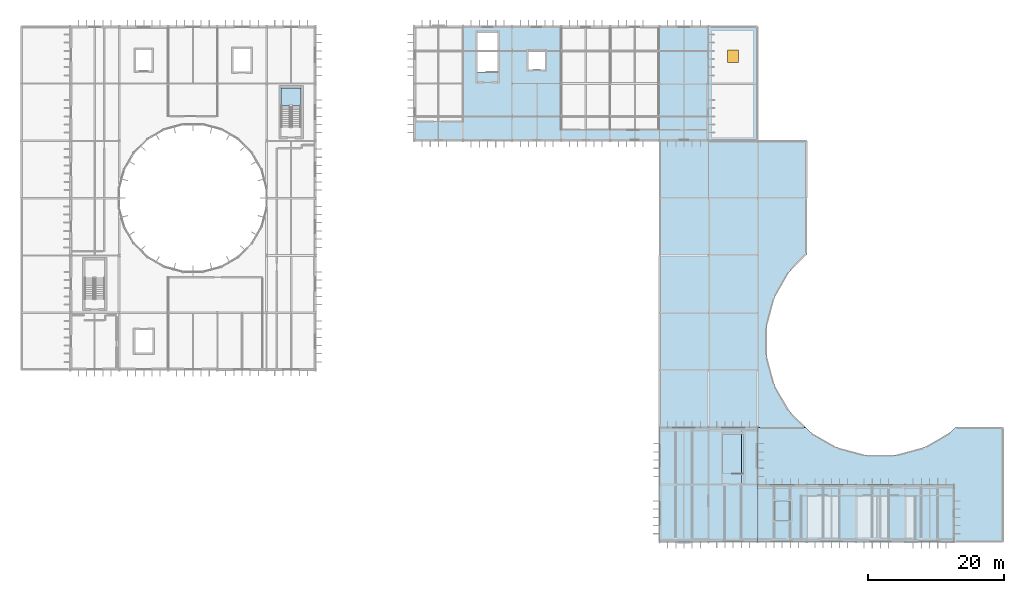
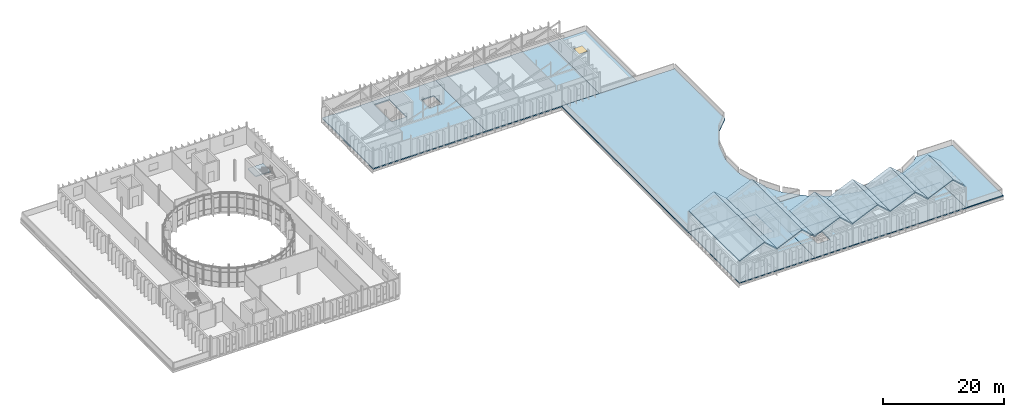
# One storey, part 31 of 52: 20 slabs, 1 window, 1 opening, 1 element without a shape of its own.
"""IFC4 building model written with IfcOpenShell, lengths in metres."""

import ifcopenshell
import ifcopenshell.guid

model = None  # the IFC model being written
_history = None  # IfcOwnerHistory: only IFC2X3 demands one
_inside = {}  # id of a spatial element -> (the spatial element, [elements in it])
_under = {}  # id of a project, library or spatial element -> (it, [spatial elements below it])
_declared = {}  # id of a project -> (the project, [libraries it declares])
_typed = {}  # id of a type object -> (the type object, [elements of that type])
_made_of = {}  # id of a material, layer set ... -> (it, [elements and type objects made of it])


def new_model(schema):
    """Start an empty IFC model of exactly this schema.

    Asked for "IFC4X3", IfcOpenShell would pick the latest addendum, in which some entities
    have other attributes; the version numbers below select the first issue.
    IFC2X3 requires an IfcOwnerHistory on every rooted entity: one is made here for all.
    """
    global model, _history
    if schema == "IFC4X3":
        model = ifcopenshell.file(schema_version=(4, 3, 0, 0))
    else:
        model = ifcopenshell.file(schema=schema)
    _inside.clear()
    _under.clear()
    _declared.clear()
    _typed.clear()
    _made_of.clear()
    _history = None
    if model.schema == "IFC2X3":
        org = make("IfcOrganization", Name="unknown")
        user = make(
            "IfcPersonAndOrganization",
            ThePerson=make("IfcPerson", FamilyName="unknown"),
            TheOrganization=org,
        )
        app = make(
            "IfcApplication",
            ApplicationDeveloper=org,
            Version="unknown",
            ApplicationFullName="unknown",
            ApplicationIdentifier="unknown",
        )
        _history = make(
            "IfcOwnerHistory",
            OwningUser=user,
            OwningApplication=app,
            ChangeAction="ADDED",
            CreationDate=0,
        )
    return model


def make(cls, **values):
    """One entity of the class cls with the attributes given. An attribute that is None is left unset."""
    return model.create_entity(
        cls, **{name: value for name, value in values.items() if value is not None}
    )


def rooted(cls, **values):
    """An entity with a GlobalId (a new one), such as an element, a storey or a relation."""
    return make(cls, GlobalId=ifcopenshell.guid.new(), OwnerHistory=_history, **values)


def si_unit(unit_type, name, prefix=None):
    """IfcSIUnit, for example si_unit("LENGTHUNIT", "METRE", prefix="MILLI")."""
    return make("IfcSIUnit", UnitType=unit_type, Prefix=prefix, Name=name)


def assignment(units):
    """IfcUnitAssignment: the units of a project."""
    return None if units is None else make("IfcUnitAssignment", Units=units)


def point(xyz):
    """IfcCartesianPoint."""
    return None if xyz is None else make("IfcCartesianPoint", Coordinates=xyz)


def direction(xyz):
    """IfcDirection."""
    return None if xyz is None else make("IfcDirection", DirectionRatios=xyz)


def frame(location, z_axis=None, x_axis=None):
    """IfcAxis2Placement3D, a coordinate frame: its origin and axes. An axis left out is left unset."""
    return make(
        "IfcAxis2Placement3D",
        Location=point(location),
        Axis=direction(z_axis),
        RefDirection=direction(x_axis),
    )


def frame_2d(location, x_axis=None):
    """IfcAxis2Placement2D, a coordinate frame in the plane: its origin and x axis."""
    return make(
        "IfcAxis2Placement2D", Location=point(location), RefDirection=direction(x_axis)
    )


def origin():
    """The frame at (0, 0, 0) with its axes left unset."""
    return frame((0.0, 0.0, 0.0))


def origin_2d():
    """The frame at (0, 0) in the plane with its x axis left unset."""
    return frame_2d((0.0, 0.0))


def place(relative_to, where):
    """IfcLocalPlacement: puts the frame where relative to a parent placement (None: the world)."""
    return make(
        "IfcLocalPlacement", PlacementRelTo=relative_to, RelativePlacement=where
    )


def context(
    kind, dimensions, precision=None, world=None, true_north=None, identifier=None
):
    """IfcGeometricRepresentationContext, for example the 3D "Model" context."""
    return make(
        "IfcGeometricRepresentationContext",
        ContextIdentifier=identifier,
        ContextType=kind,
        CoordinateSpaceDimension=dimensions,
        Precision=precision,
        WorldCoordinateSystem=world,
        TrueNorth=true_north,
    )


def subcontext(parent, identifier, kind, view, scale=None):
    """IfcGeometricRepresentationSubContext, for example "Body" below "Model"."""
    return make(
        "IfcGeometricRepresentationSubContext",
        ContextIdentifier=identifier,
        ContextType=kind,
        ParentContext=parent,
        TargetScale=scale,
        TargetView=view,
    )


def project(units=None, contexts=None):
    """IfcProject with its units and contexts."""
    return rooted(
        "IfcProject",
        Name="project",
        RepresentationContexts=contexts,
        UnitsInContext=assignment(units),
    )


def spatial(cls, under=None, at=None, **own):
    """A site, building, storey or space (cls), placed at a placement, below another one or the project."""
    s = rooted(cls, ObjectPlacement=at, **own)
    if under is not None:
        _under.setdefault(under.id(), (under, []))[1].append(s)
    return s


def polyline(points):
    """IfcPolyline through the points."""
    return make("IfcPolyline", Points=[point(p) for p in points])


def profile(cls, at=None, kind="AREA", **sizes):
    """A parametric profile (cls). Its sizes go by their IFC names, for example OverallWidth=200.0."""
    return make(cls, ProfileType=kind, Position=at, **sizes)


def rectangle(**sizes):
    """IfcRectangleProfileDef."""
    return profile("IfcRectangleProfileDef", **sizes)


def outline(outer, holes=None, kind="AREA"):
    """IfcArbitraryClosedProfileDef: a profile drawn as a closed curve; with holes, ...WithVoids."""
    if holes is None:
        return make("IfcArbitraryClosedProfileDef", ProfileType=kind, OuterCurve=outer)
    return make(
        "IfcArbitraryProfileDefWithVoids",
        ProfileType=kind,
        OuterCurve=outer,
        InnerCurves=holes,
    )


def extrude(swept, where, along, depth):
    """IfcExtrudedAreaSolid: the profile swept, set in the frame where, extruded along a direction by depth."""
    return make(
        "IfcExtrudedAreaSolid",
        SweptArea=swept,
        Position=where,
        ExtrudedDirection=direction(along),
        Depth=depth,
    )


def shape(context_of_items, identifier, shape_type, items):
    """IfcShapeRepresentation: the items that make up one representation, for example the "Body"."""
    return make(
        "IfcShapeRepresentation",
        ContextOfItems=context_of_items,
        RepresentationIdentifier=identifier,
        RepresentationType=shape_type,
        Items=items,
    )


def material(Name=None, Category=None):
    """IfcMaterial."""
    return make("IfcMaterial", Name=Name, Category=Category)


def layer(
    of_material, thickness, ventilated=None, Name=None, Category=None, Priority=None
):
    """IfcMaterialLayer: one layer of a wall or slab, of a material (None: an air gap)."""
    return make(
        "IfcMaterialLayer",
        Material=of_material,
        LayerThickness=thickness,
        IsVentilated=ventilated,
        Name=Name,
        Category=Category,
        Priority=Priority,
    )


def layer_set(layers, Name=None):
    """IfcMaterialLayerSet."""
    return make("IfcMaterialLayerSet", MaterialLayers=layers, LayerSetName=Name)


def made_of(thing, what):
    """Note that an element or type object is made of a material, layer set ...; save() writes the relation."""
    if what is not None:
        _made_of.setdefault(what.id(), (what, []))[1].append(thing)
    return thing


def type_object(cls, material=None, **own):
    """A type object (cls), such as IfcWallType, which elements share."""
    return made_of(rooted(cls, **own), material)


def element(
    cls,
    number,
    at=None,
    inside=None,
    cuts=None,
    type_object=None,
    material=None,
    context=None,
    identifier="Body",
    shape_type=None,
    held_by="IfcProductDefinitionShape",
    body=None,
    shapes=None,
    **own,
):
    """One element of the class cls, such as IfcWall. Its Tag is "e" and its number.

    at: its placement. inside: the storey or other place that contains it. cuts: it is an
    opening in that element (IfcRelVoidsElement). A single representation is given by context,
    identifier, shape_type and body (its items); several are given by shapes. held_by: the class
    of the entity that holds the representations. save() writes the other relations.
    """
    e = rooted(cls, Tag="e%d" % number, ObjectPlacement=at, **own)
    if body is not None:
        shapes = [shape(context, identifier, shape_type, body)]
    if shapes is not None:
        e.Representation = make(held_by, Representations=shapes)
    if inside is not None:
        _inside.setdefault(inside.id(), (inside, []))[1].append(e)
    if cuts is not None:
        rooted(
            "IfcRelVoidsElement", RelatingBuildingElement=cuts, RelatedOpeningElement=e
        )
    if type_object is not None:
        _typed.setdefault(type_object.id(), (type_object, []))[1].append(e)
    return made_of(e, material)


def fill(opening, filler):
    """IfcRelFillsElement: the door or window that sits in an opening."""
    return rooted(
        "IfcRelFillsElement",
        RelatingOpeningElement=opening,
        RelatedBuildingElement=filler,
    )


def aggregate(whole, parts):
    """IfcRelAggregates: a whole, such as a stair, and the parts it consists of."""
    return rooted("IfcRelAggregates", RelatingObject=whole, RelatedObjects=parts)


def save(model, path):
    """Write the relations noted so far, then the file.

    IfcRelAggregates (storeys below a building ...), IfcRelContainedInSpatialStructure (elements
    in a storey), IfcRelDefinesByType, IfcRelAssociatesMaterial and IfcRelDeclares: one each for
    every whole, place, type object, material and project.
    """
    for whole, parts in _under.values():
        aggregate(whole, parts)
    for where, things in _inside.values():
        rooted(
            "IfcRelContainedInSpatialStructure",
            RelatedElements=things,
            RelatingStructure=where,
        )
    for kind, things in _typed.values():
        rooted("IfcRelDefinesByType", RelatedObjects=things, RelatingType=kind)
    for what, things in _made_of.values():
        rooted("IfcRelAssociatesMaterial", RelatedObjects=things, RelatingMaterial=what)
    for by, libraries in _declared.values():
        rooted("IfcRelDeclares", RelatingContext=by, RelatedDefinitions=libraries)
    model.write(path)


model = new_model("IFC4")

# Units and contexts
model_context = context("Model", 3, precision=1e-05, world=origin(), true_north=direction((0.0, 1.0)))
body_context = subcontext(model_context, "Body", "Model", "MODEL_VIEW")
ifc_project = project(units=[si_unit("LENGTHUNIT", "METRE"), si_unit("AREAUNIT", "SQUARE_METRE"), si_unit("VOLUMEUNIT", "CUBIC_METRE"), si_unit("PLANEANGLEUNIT", "RADIAN"), si_unit("MASSUNIT", "GRAM", prefix="KILO")], contexts=[model_context])

# Site, building, storey
site_placement = place(None, origin())
site = spatial("IfcSite", under=ifc_project, at=site_placement, CompositionType="ELEMENT")
building_placement = place(site_placement, origin())
building = spatial("IfcBuilding", under=site, at=building_placement, Name="Qelthora Terrace Specialist Clinic", CompositionType="ELEMENT")
storey_placement = place(building_placement, frame((0.0, 0.0, 17.39990234375)))
storey = spatial("IfcBuildingStorey", under=building, at=storey_placement, Name="L04", CompositionType="ELEMENT", Elevation=17.39990234375)

# Slabs
ifc_material_1 = material(Name="Concrete C30/37", Category="concrete")
ifc_layer_1 = layer(ifc_material_1, 0.2099609375)
ifc_layer_set_1 = layer_set([ifc_layer_1], Name="Concrete C30/37")
slab_type_1 = type_object("IfcSlabType", Name="SLB-FLR-210-C30", PredefinedType="FLOOR", material=ifc_layer_set_1)
slab_1_placement = place(storey_placement, frame((0.0, 0.0, -0.2099609375)))
element("IfcSlab", 1, at=slab_1_placement, inside=storey, type_object=slab_type_1, Name="L04 V4 slab SLB-L04-V4A", PredefinedType="FLOOR", context=body_context, shape_type="SweptSolid", body=[
    extrude(outline(polyline([(93.60009765625, 50.39990234375), (108.0, 50.39990234375), (108.0, 33.60009765625), (93.60009765625, 33.60009765625), (93.60009765625, 50.39990234375)]), holes=[polyline([(105.85009765625, 49.35009765625), (102.949951171875, 49.35009765625), (102.949951171875, 43.6005859375), (105.85009765625, 43.6005859375), (105.85009765625, 49.35009765625)])]), origin(), (0.0, 0.0, 1.0), 0.2099609375),
])
slab_2_placement = place(storey_placement, frame((0.0, 0.0, -0.2099609375)))
element("IfcSlab", 2, at=slab_2_placement, inside=storey, type_object=slab_type_1, Name="L04 V4 slab SLB-L04-V4B", PredefinedType="FLOOR", context=body_context, shape_type="SweptSolid", body=[
    extrude(outline(polyline([(108.0, 42.0), (136.800048828125, 42.0), (136.800048828125, 33.60009765625), (108.0, 33.60009765625), (108.0, 42.0)]), holes=[polyline([(112.800048828125, 39.550048828125), (110.39990234375, 39.550048828125), (110.39990234375, 36.85009765625), (112.800048828125, 36.85009765625), (112.800048828125, 39.550048828125)])]), origin(), (0.0, 0.0, 1.0), 0.2099609375),
])
ifc_layer_2 = layer(ifc_material_1, 0.22998046875)
ifc_layer_set_2 = layer_set([ifc_layer_2], Name="Concrete C30/37")
slab_type_2 = type_object("IfcSlabType", Name="SLB-LAB-230-C30", PredefinedType="FLOOR", material=ifc_layer_set_2)
slab_3_placement = place(storey_placement, frame((0.0, 0.0, -0.22998046875)))
element("IfcSlab", 3, at=slab_3_placement, inside=storey, type_object=slab_type_2, Name="L04 V6 slab SLB-L04-V6A", PredefinedType="FLOOR", context=body_context, shape_type="SweptSolid", body=[
    extrude(outline(polyline([(57.60009765625, 109.199951171875), (79.199951171875, 109.199951171875), (79.199951171875, 92.39990234375), (57.60009765625, 92.39990234375), (57.60009765625, 109.199951171875)]), holes=[polyline([(76.800048828125, 105.550048828125), (74.39990234375, 105.550048828125), (74.39990234375, 102.85009765625), (76.800048828125, 102.85009765625), (76.800048828125, 105.550048828125)]), polyline([(69.85009765625, 102.50048828125), (69.85009765625, 108.25), (66.949951171875, 108.25), (66.949951171875, 102.50048828125), (69.85009765625, 102.50048828125)])]), origin(), (0.0, 0.0, 1.0), 0.22998046875),
])
slab_4_placement = place(storey_placement, frame((0.0, 0.0, -0.22998046875)))
element("IfcSlab", 4, at=slab_4_placement, inside=storey, type_object=slab_type_2, Name="L04 V6 slab SLB-L04-V6B", PredefinedType="FLOOR", context=body_context, shape_type="SweptSolid", body=[
    extrude(outline(polyline([(79.199951171875, 109.199951171875), (100.800048828125, 109.199951171875), (100.800048828125, 92.39990234375), (79.199951171875, 92.39990234375), (79.199951171875, 109.199951171875)])), origin(), (0.0, 0.0, 1.0), 0.22998046875),
])

# Stair, slab
stair_type = type_object("IfcStairType", Name="STR-175-285", PredefinedType="HALF_TURN_STAIR", material=ifc_material_1)
stair_placement = place(storey_placement, origin())
stair = element("IfcStair", 5, at=stair_placement, inside=storey, type_object=stair_type, Name="L04 Enclosed Exit Stair ST-02", PredefinedType="HALF_TURN_STAIR")
ifc_layer_3 = layer(ifc_material_1, 0.199951171875)
ifc_layer_set_3 = layer_set([ifc_layer_3], Name="Concrete C30/37")
slab_type_3 = type_object("IfcSlabType", Name="SLB-LAND-200-C30", PredefinedType="LANDING", material=ifc_layer_set_3)
slab_5_placement = place(storey_placement, frame((0.0, 0.0, 1.900146484375)))
slab_5 = element("IfcSlab", 6, at=slab_5_placement, type_object=slab_type_3, Name="ST-02 landing 1", PredefinedType="LANDING", context=body_context, shape_type="SweptSolid", body=[
    extrude(outline(polyline([(41.050048828125, 97.534912109375), (41.050048828125, 100.14990234375), (38.14990234375, 100.14990234375), (38.14990234375, 97.534912109375), (41.050048828125, 97.534912109375)])), origin(), (0.0, 0.0, 1.0), 0.199951171875),
])
aggregate(stair, [slab_5])

# Slab, opening, window
ifc_layer_4 = layer(ifc_material_1, 0.22509765625)
ifc_layer_set_4 = layer_set([ifc_layer_4], Name="Concrete C30/37")
slab_type_4 = type_object("IfcSlabType", Name="SLB-ROOF-170-ZINC", PredefinedType="ROOF", material=ifc_layer_set_4)
slab_6_placement = place(storey_placement, frame((0.0, 0.0, -0.224853515625)))
slab_6 = element("IfcSlab", 7, at=slab_6_placement, inside=storey, type_object=slab_type_4, Name="Stepped wing roof slab ROOF-V6-STP4-1", PredefinedType="ROOF", context=body_context, shape_type="SweptSolid", body=[
    extrude(outline(polyline([(108.0, 109.199951171875), (108.0, 92.39990234375), (100.800048828125, 92.39990234375), (100.800048828125, 109.199951171875), (108.0, 109.199951171875)])), origin(), (0.0, 0.0, 1.0), 0.224853515625),
])
opening_placement = place(slab_6_placement, frame((104.39990234375, 104.800048828125, 0.0)))
opening = element("IfcOpeningElement", 8, at=opening_placement, cuts=slab_6, Name="Opening SK-L04-09", PredefinedType="OPENING", context=body_context, shape_type="SweptSolid", body=[
    extrude(rectangle(XDim=1.60009765625, YDim=1.800048828125, at=origin_2d()), frame((0.0, 0.0, -0.010009765625)), (0.0, 0.0, 1.0), 0.244873046875),
])
ifc_material_2 = material(Name="Low-E triple-silver insulating glass", Category="glass")
window_type = type_object("IfcWindowType", Name="SKY-1600X1800", PartitioningType="SINGLE_PANEL", PredefinedType="SKYLIGHT", material=ifc_material_2)
window_placement = place(opening_placement, frame((0.0, 0.0, 0.1748046875)))
window = element("IfcWindow", 9, at=window_placement, inside=storey, type_object=window_type, Name="Roof skylight SK-L04-09", OverallHeight=1.800048828125, OverallWidth=1.60009765625, PartitioningType="SINGLE_PANEL", PredefinedType="SKYLIGHT", context=body_context, shape_type="SweptSolid", body=[
    extrude(rectangle(XDim=1.60009765625, YDim=1.800048828125, at=origin_2d()), origin(), (0.0, 0.0, 1.0), 0.050048828125),
])
fill(opening, window)

# Slabs
slab_7_placement = place(storey_placement, frame((0.0, 0.0, -0.224853515625)))
element("IfcSlab", 10, at=slab_7_placement, inside=storey, type_object=slab_type_4, Name="Stepped wing roof slab ROOF-V4-STP4A-1", PredefinedType="ROOF", context=body_context, shape_type="SweptSolid", body=[
    extrude(outline(polyline([(93.60009765625, 92.39990234375), (115.199951171875, 92.39990234375), (115.199951171875, 75.755615234375), (112.671630859375, 73.227294921875), (110.478759765625, 69.42919921875), (109.34375, 65.19287109375), (109.34375, 60.80712890625), (110.478759765625, 56.57080078125), (112.671630859375, 52.772705078125), (115.04443359375, 50.39990234375), (93.60009765625, 50.39990234375), (93.60009765625, 92.39990234375)])), origin(), (0.0, 0.0, 1.0), 0.224853515625),
])
slab_8_placement = place(storey_placement, frame((0.0, 0.0, -0.224853515625)))
element("IfcSlab", 11, at=slab_8_placement, inside=storey, type_object=slab_type_4, Name="Stepped wing roof slab ROOF-V4-STP4B-1", PredefinedType="ROOF", context=body_context, shape_type="SweptSolid", body=[
    extrude(outline(polyline([(136.800048828125, 33.60009765625), (136.800048828125, 42.0), (108.0, 42.0), (108.0, 50.39990234375), (115.04443359375, 50.39990234375), (115.772705078125, 49.671630859375), (119.57080078125, 47.478759765625), (123.80712890625, 46.34375), (128.19287109375, 46.34375), (132.42919921875, 47.478759765625), (136.227294921875, 49.671630859375), (136.95556640625, 50.39990234375), (144.0, 50.39990234375), (144.0, 33.60009765625), (136.800048828125, 33.60009765625)])), origin(), (0.0, 0.0, 1.0), 0.224853515625),
])
ifc_layer_5 = layer(ifc_material_1, 0.235107421875)
ifc_layer_set_5 = layer_set([ifc_layer_5], Name="Concrete C30/37")
slab_type_5 = type_object("IfcSlabType", Name="SLB-ROOF-190-ZINC", PredefinedType="ROOF", material=ifc_layer_set_5)
slab_9_placement = place(storey_placement, frame((93.60009765625, 33.60009765625, 4.161865234375), z_axis=(-0.408781313606, 0.0, 0.912632367192), x_axis=(0.912632367192, 0.0, 0.408781313606)))
element("IfcSlab", 12, at=slab_9_placement, inside=storey, type_object=slab_type_5, Name="Gable GV4_1 west standing-seam roof slope", PredefinedType="ROOF", context=body_context, shape_type="SweptSolid", body=[
    extrude(outline(polyline([(0.0, 0.0), (5.259297018215336, 0.0), (5.259297018215336, 16.7998046875), (0.0, 16.7998046875), (0.0, 0.0)])), origin(), (0.408781313606, 0.0, 0.912632367192), 0.208251953125),
])
slab_10_placement = place(storey_placement, frame((98.39990234375, 33.60009765625, 6.264892578125), z_axis=(0.667208913506, 0.0, 0.744870636915), x_axis=(0.744870636915, 0.0, -0.667208913506)))
element("IfcSlab", 13, at=slab_10_placement, inside=storey, type_object=slab_type_5, Name="Gable GV4_1 east standing-seam roof slope", PredefinedType="ROOF", context=body_context, shape_type="SweptSolid", body=[
    extrude(outline(polyline([(0.0, 0.0), (3.2222326474231213, 0.0), (3.2222326474231213, 16.7998046875), (0.0, 16.7998046875), (0.0, 0.0)])), origin(), (-0.667208913506, 0.0, 0.744870636915), 0.255126953125),
])
slab_11_placement = place(storey_placement, frame((100.800048828125, 33.60009765625, 4.161865234375), z_axis=(-0.408763996205, 0.0, 0.91264012371), x_axis=(0.91264012371, 0.0, 0.408763996205)))
element("IfcSlab", 14, at=slab_11_placement, inside=storey, type_object=slab_type_5, Name="Gable GV4_2 west standing-seam roof slope", PredefinedType="ROOF", context=body_context, shape_type="SweptSolid", body=[
    extrude(outline(polyline([(0.0, 0.0), (5.259519829798718, 0.0), (5.259519829798718, 16.7998046875), (0.0, 16.7998046875), (0.0, 0.0)])), origin(), (0.408763996205, 0.0, 0.91264012371), 0.208251953125),
])
slab_12_placement = place(storey_placement, frame((105.60009765625, 33.60009765625, 6.264892578125), z_axis=(0.667246570056, 0.0, 0.744836904798), x_axis=(0.744836904798, 0.0, -0.667246570056)))
element("IfcSlab", 15, at=slab_12_placement, inside=storey, type_object=slab_type_5, Name="Gable GV4_2 east standing-seam roof slope", PredefinedType="ROOF", context=body_context, shape_type="SweptSolid", body=[
    extrude(outline(polyline([(0.0, 0.0), (3.2220507983578544, 0.0), (3.2220507983578544, 16.7998046875), (0.0, 16.7998046875), (0.0, 0.0)])), origin(), (-0.667246570056, 0.0, 0.744836904798), 0.255126953125),
])
slab_13_placement = place(storey_placement, frame((108.0, 33.60009765625, 4.161865234375), z_axis=(-0.408763996205, 0.0, 0.91264012371), x_axis=(0.91264012371, 0.0, 0.408763996205)))
element("IfcSlab", 16, at=slab_13_placement, inside=storey, type_object=slab_type_5, Name="Gable GV4_3 west standing-seam roof slope", PredefinedType="ROOF", context=body_context, shape_type="SweptSolid", body=[
    extrude(outline(polyline([(0.0, 0.0), (5.259519829798718, 0.0), (5.259519829798718, 8.39990234375), (0.0, 8.39990234375), (0.0, 0.0)])), origin(), (0.408763996205, 0.0, 0.91264012371), 0.208251953125),
])
slab_14_placement = place(storey_placement, frame((112.800048828125, 33.60009765625, 6.264892578125), z_axis=(0.667246570056, 0.0, 0.744836904798), x_axis=(0.744836904798, 0.0, -0.667246570056)))
element("IfcSlab", 17, at=slab_14_placement, inside=storey, type_object=slab_type_5, Name="Gable GV4_3 east standing-seam roof slope", PredefinedType="ROOF", context=body_context, shape_type="SweptSolid", body=[
    extrude(outline(polyline([(0.0, 0.0), (3.2220507983578544, 0.0), (3.2220507983578544, 8.39990234375), (0.0, 8.39990234375), (0.0, 0.0)])), origin(), (-0.667246570056, 0.0, 0.744836904798), 0.255126953125),
])
slab_15_placement = place(storey_placement, frame((115.199951171875, 33.60009765625, 4.161865234375), z_axis=(-0.408763996205, 0.0, 0.91264012371), x_axis=(0.91264012371, 0.0, 0.408763996205)))
element("IfcSlab", 18, at=slab_15_placement, inside=storey, type_object=slab_type_5, Name="Gable GV4_4 west standing-seam roof slope", PredefinedType="ROOF", context=body_context, shape_type="SweptSolid", body=[
    extrude(outline(polyline([(0.0, 0.0), (5.259519829798718, 0.0), (5.259519829798718, 8.39990234375), (0.0, 8.39990234375), (0.0, 0.0)])), origin(), (0.408763996205, 0.0, 0.91264012371), 0.208251953125),
])
slab_16_placement = place(storey_placement, frame((120.0, 33.60009765625, 6.264892578125), z_axis=(0.667246570056, 0.0, 0.744836904798), x_axis=(0.744836904798, 0.0, -0.667246570056)))
element("IfcSlab", 19, at=slab_16_placement, inside=storey, type_object=slab_type_5, Name="Gable GV4_4 east standing-seam roof slope", PredefinedType="ROOF", context=body_context, shape_type="SweptSolid", body=[
    extrude(outline(polyline([(0.0, 0.0), (3.2220507983578544, 0.0), (3.2220507983578544, 8.39990234375), (0.0, 8.39990234375), (0.0, 0.0)])), origin(), (-0.667246570056, 0.0, 0.744836904798), 0.255126953125),
])
slab_17_placement = place(storey_placement, frame((122.39990234375, 33.60009765625, 4.161865234375), z_axis=(-0.408763996205, 0.0, 0.91264012371), x_axis=(0.91264012371, 0.0, 0.408763996205)))
element("IfcSlab", 20, at=slab_17_placement, inside=storey, type_object=slab_type_5, Name="Gable GV4_5 west standing-seam roof slope", PredefinedType="ROOF", context=body_context, shape_type="SweptSolid", body=[
    extrude(outline(polyline([(0.0, 0.0), (5.259519829798718, 0.0), (5.259519829798718, 8.39990234375), (0.0, 8.39990234375), (0.0, 0.0)])), origin(), (0.408763996205, 0.0, 0.91264012371), 0.208251953125),
])
slab_18_placement = place(storey_placement, frame((127.199951171875, 33.60009765625, 6.264892578125), z_axis=(0.667208913506, 0.0, 0.744870636915), x_axis=(0.744870636915, 0.0, -0.667208913506)))
element("IfcSlab", 21, at=slab_18_placement, inside=storey, type_object=slab_type_5, Name="Gable GV4_5 east standing-seam roof slope", PredefinedType="ROOF", context=body_context, shape_type="SweptSolid", body=[
    extrude(outline(polyline([(0.0, 0.0), (3.2222326474231213, 0.0), (3.2222326474231213, 8.39990234375), (0.0, 8.39990234375), (0.0, 0.0)])), origin(), (-0.667208913506, 0.0, 0.744870636915), 0.255126953125),
])
slab_19_placement = place(storey_placement, frame((129.60009765625, 33.60009765625, 4.161865234375), z_axis=(-0.408781313606, 0.0, 0.912632367192), x_axis=(0.912632367192, 0.0, 0.408781313606)))
element("IfcSlab", 22, at=slab_19_placement, inside=storey, type_object=slab_type_5, Name="Gable GV4_6 west standing-seam roof slope", PredefinedType="ROOF", context=body_context, shape_type="SweptSolid", body=[
    extrude(outline(polyline([(0.0, 0.0), (5.259297018215336, 0.0), (5.259297018215336, 8.39990234375), (0.0, 8.39990234375), (0.0, 0.0)])), origin(), (0.408781313606, 0.0, 0.912632367192), 0.208251953125),
])
slab_20_placement = place(storey_placement, frame((134.39990234375, 33.60009765625, 6.264892578125), z_axis=(0.667208913506, 0.0, 0.744870636915), x_axis=(0.744870636915, 0.0, -0.667208913506)))
element("IfcSlab", 23, at=slab_20_placement, inside=storey, type_object=slab_type_5, Name="Gable GV4_6 east standing-seam roof slope", PredefinedType="ROOF", context=body_context, shape_type="SweptSolid", body=[
    extrude(outline(polyline([(0.0, 0.0), (3.2222326474231213, 0.0), (3.2222326474231213, 8.39990234375), (0.0, 8.39990234375), (0.0, 0.0)])), origin(), (-0.667208913506, 0.0, 0.744870636915), 0.255126953125),
])

save(model, "model.ifc")
